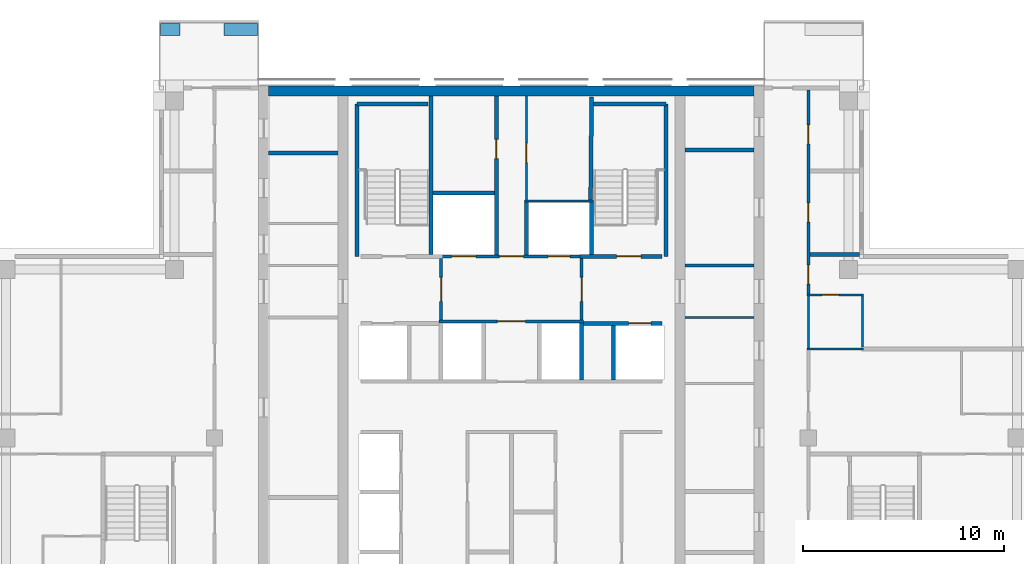
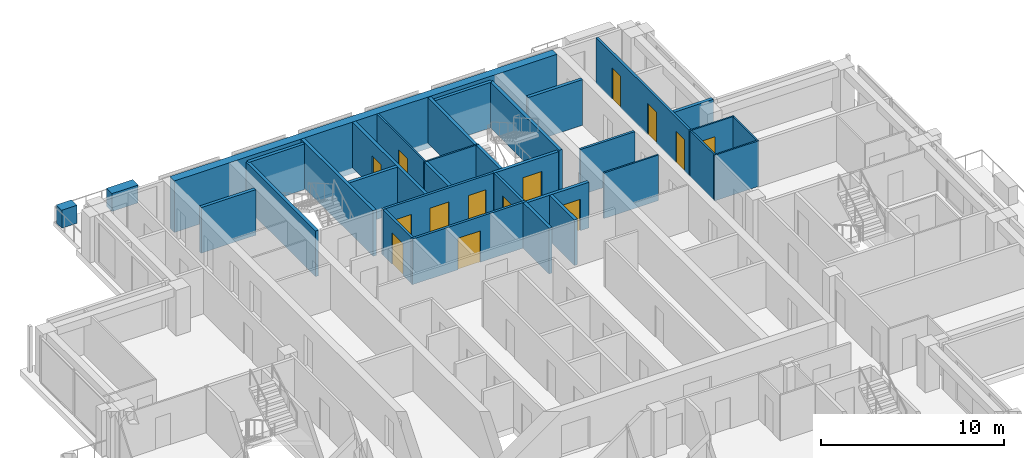
# One storey, part 13 of 17: 33 walls, 14 doors, 14 openings.
"""IFC4 building model written with IfcOpenShell, lengths in metres."""

from ifc_helpers import new_model, si_unit, direction, frame, frame_2d, origin, place, context, subcontext, project, spatial, rectangle, extrude, material, layer, layer_set, type_object, element, fill, save


model = new_model("IFC4")

# Units and contexts
model_context = context("Model", 3, precision=1e-05, world=origin(), true_north=direction((0.0, 1.0)))
body_context = subcontext(model_context, "Body", "Model", "MODEL_VIEW")
ifc_project = project(units=[si_unit("LENGTHUNIT", "METRE"), si_unit("AREAUNIT", "SQUARE_METRE"), si_unit("VOLUMEUNIT", "CUBIC_METRE"), si_unit("PLANEANGLEUNIT", "RADIAN"), si_unit("MASSUNIT", "GRAM", prefix="KILO")], contexts=[model_context])

# Site, building, storey
site_placement = place(None, origin())
site = spatial("IfcSite", under=ifc_project, at=site_placement, CompositionType="ELEMENT")
building_placement = place(site_placement, origin())
building = spatial("IfcBuilding", under=site, at=building_placement, Name="Vermilion Ogive Tower", CompositionType="ELEMENT")
storey_placement = place(building_placement, frame((0.0, 0.0, 244.14990234375)))
storey = spatial("IfcBuildingStorey", under=building, at=storey_placement, Name="L64", CompositionType="ELEMENT", Elevation=244.14990234375)

# Walls
ifc_material_1 = material(Name="Concrete B60", Category="concrete")
ifc_layer_1 = layer(ifc_material_1, 0.5)
ifc_layer_set_1 = layer_set([ifc_layer_1], Name="Core wall 500 B60")
wall_type_1 = type_object("IfcWallType", Name="Core wall 500 B60", PredefinedType="SHEAR", material=ifc_layer_set_1)
wall_1_placement = place(storey_placement, frame((-12.10009765625, 21.5, -0.39990234375), z_axis=(0.0, 0.0, 1.0), x_axis=(1.0, 0.0, 0.0)))
element("IfcWall", 1, at=wall_1_placement, inside=storey, type_object=wall_type_1, Name="L64-CORE-N", PredefinedType="SHEAR", context=body_context, shape_type="SweptSolid", body=[
    extrude(rectangle(XDim=24.2001953125, YDim=0.5, at=frame_2d((12.10009765625, 0.0))), origin(), (0.0, 0.0, 1.0), 3.449951171875),
])
ifc_material_2 = material(Name="Gypsum board partition on steel studs", Category="steel")
ifc_layer_2 = layer(ifc_material_2, 0.10009765625)
ifc_layer_set_2 = layer_set([ifc_layer_2], Name="Partition 100 bath")
wall_type_2 = type_object("IfcWallType", Name="Partition 100 bath", PredefinedType="PARTITIONING", material=ifc_layer_set_2)
wall_2_placement = place(storey_placement, frame((14.72509765625, 8.6298828125, 0.0), z_axis=(0.0, 0.0, 1.0), x_axis=(1.0, 0.0, 0.0)))
element("IfcWall", 2, at=wall_2_placement, inside=storey, type_object=wall_type_2, Name="L64-W-W030", PredefinedType="PARTITIONING", context=body_context, shape_type="SweptSolid", body=[
    extrude(rectangle(XDim=2.824951171875, YDim=0.10009765625, at=frame_2d((1.41259765625, 0.0))), origin(), (0.0, 0.0, 1.0), 3.050048828125),
])

# Wall, opening, door
wall_3_placement = place(storey_placement, frame((14.72509765625, 11.330078125, 0.0), z_axis=(0.0, 0.0, 1.0), x_axis=(1.0, 0.0, 0.0)))
wall_3 = element("IfcWall", 3, at=wall_3_placement, inside=storey, type_object=wall_type_2, Name="L64-W-W032", PredefinedType="PARTITIONING", context=body_context, shape_type="SweptSolid", body=[
    extrude(rectangle(XDim=2.824951171875, YDim=0.10009765625, at=frame_2d((1.41259765625, 0.0))), origin(), (0.0, 0.0, 1.0), 3.050048828125),
])
opening_1_placement = place(wall_3_placement, frame((0.75, 0.0, 0.0)))
opening_1 = element("IfcOpeningElement", 4, at=opening_1_placement, cuts=wall_3, Name="Opening D5G3020", PredefinedType="OPENING", context=body_context, shape_type="SweptSolid", body=[
    extrude(rectangle(XDim=0.85009765625, YDim=2.10009765625, at=frame_2d((0.425048828125, 1.050048828125))), frame((0.0, 0.06005859375, 0.0), z_axis=(0.0, -1.0, 0.0), x_axis=(1.0, 0.0, 0.0)), (0.0, 0.0, 1.0), 0.1201171875),
])
ifc_material_3 = material(Name="Timber door leaf", Category="wood")
door_type_1 = type_object("IfcDoorType", Name="Bath door 850 x 2100 FD30", OperationType="SINGLE_SWING_LEFT", PredefinedType="DOOR", material=ifc_material_3)
door_1_placement = place(opening_1_placement, origin())
door_1 = element("IfcDoor", 5, at=door_1_placement, inside=storey, type_object=door_type_1, Name="L64-D-D020", OperationType="SINGLE_SWING_RIGHT", OverallHeight=2.10009765625, OverallWidth=0.85009765625, PredefinedType="DOOR", context=body_context, shape_type="SweptSolid", body=[
    extrude(rectangle(XDim=0.85009765625, YDim=2.10009765625, at=frame_2d((0.425048828125, 1.050048828125))), frame((0.0, 0.02490234375, 0.0), z_axis=(0.0, -1.0, 0.0), x_axis=(1.0, 0.0, 0.0)), (0.0, 0.0, 1.0), 0.050048828125),
])
fill(opening_1, door_1)

# Walls
wall_4_placement = place(storey_placement, frame((14.800048828125, 8.679931640625, 0.0), z_axis=(0.0, 0.0, 1.0), x_axis=(0.0, 1.0, 0.0)))
element("IfcWall", 6, at=wall_4_placement, inside=storey, type_object=wall_type_2, Name="L64-W-W055", PredefinedType="PARTITIONING", context=body_context, shape_type="SweptSolid", body=[
    extrude(rectangle(XDim=2.60009765625, YDim=0.10009765625, at=frame_2d((1.300048828125, 0.0))), origin(), (0.0, 0.0, 1.0), 3.050048828125),
])
wall_5_placement = place(storey_placement, frame((17.5, 8.72998046875, 0.0), z_axis=(0.0, 0.0, 1.0), x_axis=(0.0, 1.0, 0.0)))
element("IfcWall", 7, at=wall_5_placement, inside=storey, type_object=wall_type_2, Name="L64-W-W059", PredefinedType="PARTITIONING", context=body_context, shape_type="SweptSolid", body=[
    extrude(rectangle(XDim=2.550048828125, YDim=0.10009765625, at=frame_2d((1.27490234375, 0.0))), origin(), (0.0, 0.0, 1.0), 3.050048828125),
])
wall_6_placement = place(storey_placement, frame((0.64990234375, 16.0, 0.0), z_axis=(0.0, 0.0, 1.0), x_axis=(1.0, 0.0, 0.0)))
element("IfcWall", 8, at=wall_6_placement, inside=storey, type_object=wall_type_2, Name="L64-CK-W-W018", PredefinedType="PARTITIONING", context=body_context, shape_type="SweptSolid", body=[
    extrude(rectangle(XDim=3.4501953125, YDim=0.10009765625, at=frame_2d((1.72509765625, 0.0))), origin(), (0.0, 0.0, 1.0), 3.050048828125),
])

# Wall, opening, door
wall_7_placement = place(storey_placement, frame((0.75, 16.050048828125, 0.0), z_axis=(0.0, 0.0, 1.0), x_axis=(0.0, 1.0, 0.0)))
wall_7 = element("IfcWall", 9, at=wall_7_placement, inside=storey, type_object=wall_type_2, Name="L64-CK-W-W030", PredefinedType="PARTITIONING", context=body_context, shape_type="SweptSolid", body=[
    extrude(rectangle(XDim=5.198974609375, YDim=0.10009765625, at=frame_2d((2.599609375, 0.0))), origin(), (0.0, 0.0, 1.0), 3.050048828125),
])
opening_2_placement = place(wall_7_placement, frame((1.875, 0.0, 0.0)))
opening_2 = element("IfcOpeningElement", 10, at=opening_2_placement, cuts=wall_7, Name="Opening DAA597", PredefinedType="OPENING", context=body_context, shape_type="SweptSolid", body=[
    extrude(rectangle(XDim=0.949951171875, YDim=2.10009765625, at=frame_2d((0.47509765625, 1.050048828125))), frame((0.0, 0.06005859375, 0.0), z_axis=(0.0, -1.0, 0.0), x_axis=(1.0, 0.0, 0.0)), (0.0, 0.0, 1.0), 0.1201171875),
])
ifc_material_4 = material(Name="Timber door leaf", Category="wood")
door_type_2 = type_object("IfcDoorType", Name="Service door 950 x 2100 FD60", OperationType="SINGLE_SWING_LEFT", PredefinedType="DOOR", material=ifc_material_4)
door_2_placement = place(opening_2_placement, origin())
door_2 = element("IfcDoor", 11, at=door_2_placement, inside=storey, type_object=door_type_2, Name="L64-CK-D-D022", OperationType="SINGLE_SWING_LEFT", OverallHeight=2.10009765625, OverallWidth=0.949951171875, PredefinedType="DOOR", context=body_context, shape_type="SweptSolid", body=[
    extrude(rectangle(XDim=0.949951171875, YDim=2.10009765625, at=frame_2d((0.47509765625, 1.050048828125))), frame((0.0, 0.02490234375, 0.0), z_axis=(0.0, -1.0, 0.0), x_axis=(1.0, 0.0, 0.0)), (0.0, 0.0, 1.0), 0.050048828125),
])
fill(opening_2, door_2)

# Wall
wall_8_placement = place(storey_placement, frame((8.65087890625, 10.199951171875, 0.0), z_axis=(0.0, 0.0, 1.0), x_axis=(1.0, 0.0, 0.0)))
element("IfcWall", 12, at=wall_8_placement, inside=storey, type_object=wall_type_2, Name="L64-CKE-W-W004", PredefinedType="PARTITIONING", context=body_context, shape_type="SweptSolid", body=[
    extrude(rectangle(XDim=3.4482421875, YDim=0.10009765625, at=frame_2d((1.72412109375, 0.0))), origin(), (0.0, 0.0, 1.0), 3.050048828125),
])

# Wall, openings, doors
ifc_material_5 = material(Name="Gypsum board partition on steel studs", Category="steel")
ifc_layer_3 = layer(ifc_material_5, 0.14990234375)
ifc_layer_set_3 = layer_set([ifc_layer_3], Name="Partition 150 corridor")
wall_type_3 = type_object("IfcWallType", Name="Partition 150 corridor", PredefinedType="PARTITIONING", material=ifc_layer_set_3)
wall_9_placement = place(storey_placement, frame((14.800048828125, 11.3798828125, 0.0), z_axis=(0.0, 0.0, 1.0), x_axis=(0.0, 1.0, 0.0)))
wall_9 = element("IfcWall", 13, at=wall_9_placement, inside=storey, type_object=wall_type_3, Name="L64-W-W056", PredefinedType="PARTITIONING", context=body_context, shape_type="SweptSolid", body=[
    extrude(rectangle(XDim=10.170166015625, YDim=0.14990234375, at=frame_2d((5.0849609375, 0.0))), origin(), (0.0, 0.0, 1.0), 3.050048828125),
])
opening_3_placement = place(wall_9_placement, frame((0.485107421875, 0.0, 0.0)))
opening_3 = element("IfcOpeningElement", 14, at=opening_3_placement, cuts=wall_9, Name="Opening D5G3019", PredefinedType="OPENING", context=body_context, shape_type="SweptSolid", body=[
    extrude(rectangle(XDim=0.949951171875, YDim=2.10009765625, at=frame_2d((0.47509765625, 1.050048828125))), frame((0.0, 0.0849609375, 0.0), z_axis=(0.0, -1.0, 0.0), x_axis=(1.0, 0.0, 0.0)), (0.0, 0.0, 1.0), 0.169921875),
])
opening_4_placement = place(wall_9_placement, frame((3.570068359375, 0.0, 0.0)))
opening_4 = element("IfcOpeningElement", 15, at=opening_4_placement, cuts=wall_9, Name="Opening D5G3021", PredefinedType="OPENING", context=body_context, shape_type="SweptSolid", body=[
    extrude(rectangle(XDim=0.949951171875, YDim=2.10009765625, at=frame_2d((0.47509765625, 1.050048828125))), frame((0.0, 0.0849609375, 0.0), z_axis=(0.0, -1.0, 0.0), x_axis=(1.0, 0.0, 0.0)), (0.0, 0.0, 1.0), 0.169921875),
])
opening_5_placement = place(wall_9_placement, frame((7.47021484375, 0.0, 0.0)))
opening_5 = element("IfcOpeningElement", 16, at=opening_5_placement, cuts=wall_9, Name="Opening D5G3022", PredefinedType="OPENING", context=body_context, shape_type="SweptSolid", body=[
    extrude(rectangle(XDim=0.949951171875, YDim=2.10009765625, at=frame_2d((0.47509765625, 1.050048828125))), frame((0.0, 0.0849609375, 0.0), z_axis=(0.0, -1.0, 0.0), x_axis=(1.0, 0.0, 0.0)), (0.0, 0.0, 1.0), 0.169921875),
])
ifc_material_6 = material(Name="Timber door leaf", Category="wood")
door_type_3 = type_object("IfcDoorType", Name="Unit door 950 x 2100 FD30S", OperationType="SINGLE_SWING_LEFT", PredefinedType="DOOR", material=ifc_material_6)
door_3_placement = place(opening_3_placement, origin())
door_3 = element("IfcDoor", 17, at=door_3_placement, inside=storey, type_object=door_type_3, Name="L64-D-D019", OperationType="SINGLE_SWING_RIGHT", OverallHeight=2.10009765625, OverallWidth=0.949951171875, PredefinedType="DOOR", context=body_context, shape_type="SweptSolid", body=[
    extrude(rectangle(XDim=0.949951171875, YDim=2.10009765625, at=frame_2d((0.47509765625, 1.050048828125))), frame((0.0, 0.02490234375, 0.0), z_axis=(0.0, -1.0, 0.0), x_axis=(1.0, 0.0, 0.0)), (0.0, 0.0, 1.0), 0.050048828125),
])
fill(opening_3, door_3)
door_4_placement = place(opening_4_placement, origin())
door_4 = element("IfcDoor", 18, at=door_4_placement, inside=storey, type_object=door_type_3, Name="L64-D-D021", OperationType="SINGLE_SWING_RIGHT", OverallHeight=2.10009765625, OverallWidth=0.949951171875, PredefinedType="DOOR", context=body_context, shape_type="SweptSolid", body=[
    extrude(rectangle(XDim=0.949951171875, YDim=2.10009765625, at=frame_2d((0.47509765625, 1.050048828125))), frame((0.0, 0.02490234375, 0.0), z_axis=(0.0, -1.0, 0.0), x_axis=(1.0, 0.0, 0.0)), (0.0, 0.0, 1.0), 0.050048828125),
])
fill(opening_4, door_4)
door_5_placement = place(opening_5_placement, origin())
door_5 = element("IfcDoor", 19, at=door_5_placement, inside=storey, type_object=door_type_3, Name="L64-D-D022", OperationType="SINGLE_SWING_RIGHT", OverallHeight=2.10009765625, OverallWidth=0.949951171875, PredefinedType="DOOR", context=body_context, shape_type="SweptSolid", body=[
    extrude(rectangle(XDim=0.949951171875, YDim=2.10009765625, at=frame_2d((0.47509765625, 1.050048828125))), frame((0.0, 0.02490234375, 0.0), z_axis=(0.0, -1.0, 0.0), x_axis=(1.0, 0.0, 0.0)), (0.0, 0.0, 1.0), 0.050048828125),
])
fill(opening_5, door_5)

# Wall, opening, door
wall_10_placement = place(storey_placement, frame((-3.60009765625, 10.0, 0.0), z_axis=(0.0, 0.0, 1.0), x_axis=(1.0, 0.0, 0.0)))
wall_10 = element("IfcWall", 20, at=wall_10_placement, inside=storey, type_object=wall_type_3, Name="L64-CK-W-W014", PredefinedType="PARTITIONING", context=body_context, shape_type="SweptSolid", body=[
    extrude(rectangle(XDim=7.2001953125, YDim=0.14990234375, at=frame_2d((3.60009765625, 0.0))), origin(), (0.0, 0.0, 1.0), 3.050048828125),
])
opening_6_placement = place(wall_10_placement, frame((2.900146484375, 0.0, 0.0)))
opening_6 = element("IfcOpeningElement", 21, at=opening_6_placement, cuts=wall_10, Name="Opening DAA588", PredefinedType="OPENING", context=body_context, shape_type="SweptSolid", body=[
    extrude(rectangle(XDim=1.39990234375, YDim=2.10009765625, at=frame_2d((0.699951171875, 1.050048828125))), frame((0.0, 0.0849609375, 0.0), z_axis=(0.0, -1.0, 0.0), x_axis=(1.0, 0.0, 0.0)), (0.0, 0.0, 1.0), 0.169921875),
])
ifc_material_7 = material(Name="Timber door leaf", Category="wood")
door_type_4 = type_object("IfcDoorType", Name="Lobby door 1400 x 2100 FD60S", OperationType="SINGLE_SWING_LEFT", PredefinedType="DOOR", material=ifc_material_7)
door_6_placement = place(opening_6_placement, origin())
door_6 = element("IfcDoor", 22, at=door_6_placement, inside=storey, type_object=door_type_4, Name="L64-CK-D-D017", OperationType="SINGLE_SWING_RIGHT", OverallHeight=2.10009765625, OverallWidth=1.39990234375, PredefinedType="DOOR", context=body_context, shape_type="SweptSolid", body=[
    extrude(rectangle(XDim=1.39990234375, YDim=2.10009765625, at=frame_2d((0.699951171875, 1.050048828125))), frame((0.0, 0.02490234375, 0.0), z_axis=(0.0, -1.0, 0.0), x_axis=(1.0, 0.0, 0.0)), (0.0, 0.0, 1.0), 0.050048828125),
])
fill(opening_6, door_6)

# Wall, openings, doors
wall_11_placement = place(storey_placement, frame((-3.574951171875, 13.25, 0.0), z_axis=(0.0, 0.0, 1.0), x_axis=(1.0, 0.0, 0.0)))
wall_11 = element("IfcWall", 23, at=wall_11_placement, inside=storey, type_object=wall_type_3, Name="L64-CK-W-W016", PredefinedType="PARTITIONING", context=body_context, shape_type="SweptSolid", body=[
    extrude(rectangle(XDim=7.14990234375, YDim=0.14990234375, at=frame_2d((3.574951171875, 0.0))), origin(), (0.0, 0.0, 1.0), 3.050048828125),
])
opening_7_placement = place(wall_11_placement, frame((0.599853515625, 0.0, 0.0)))
opening_7 = element("IfcOpeningElement", 24, at=opening_7_placement, cuts=wall_11, Name="Opening DAA608", PredefinedType="OPENING", context=body_context, shape_type="SweptSolid", body=[
    extrude(rectangle(XDim=1.199951171875, YDim=2.10009765625, at=frame_2d((0.60009765625, 1.050048828125))), frame((0.0, 0.0849609375, 0.0), z_axis=(0.0, -1.0, 0.0), x_axis=(1.0, 0.0, 0.0)), (0.0, 0.0, 1.0), 0.169921875),
])
opening_8_placement = place(wall_11_placement, frame((5.39990234375, 0.0, 0.0)))
opening_8 = element("IfcOpeningElement", 25, at=opening_8_placement, cuts=wall_11, Name="Opening DAA607", PredefinedType="OPENING", context=body_context, shape_type="SweptSolid", body=[
    extrude(rectangle(XDim=1.10009765625, YDim=2.10009765625, at=frame_2d((0.550048828125, 1.050048828125))), frame((0.0, 0.0849609375, 0.0), z_axis=(0.0, -1.0, 0.0), x_axis=(1.0, 0.0, 0.0)), (0.0, 0.0, 1.0), 0.169921875),
])
opening_9_placement = place(wall_11_placement, frame((2.974853515625, 0.0, 0.0)))
opening_9 = element("IfcOpeningElement", 26, at=opening_9_placement, cuts=wall_11, Name="Opening DAA589", PredefinedType="OPENING", context=body_context, shape_type="SweptSolid", body=[
    extrude(rectangle(XDim=1.199951171875, YDim=2.10009765625, at=frame_2d((0.60009765625, 1.050048828125))), frame((0.0, 0.0849609375, 0.0), z_axis=(0.0, -1.0, 0.0), x_axis=(1.0, 0.0, 0.0)), (0.0, 0.0, 1.0), 0.169921875),
])
ifc_material_8 = material(Name="Stainless steel", Category="steel")
door_type_5 = type_object("IfcDoorType", Name="Lift landing door 1100 x 2100", OperationType="SLIDING_TO_LEFT", PredefinedType="DOOR", material=ifc_material_8)
door_7_placement = place(opening_8_placement, origin())
door_7 = element("IfcDoor", 27, at=door_7_placement, inside=storey, type_object=door_type_5, Name="L64-CK-D-D019", OperationType="SLIDING_TO_LEFT", OverallHeight=2.10009765625, OverallWidth=1.10009765625, PredefinedType="DOOR", context=body_context, shape_type="SweptSolid", body=[
    extrude(rectangle(XDim=1.10009765625, YDim=2.10009765625, at=frame_2d((0.550048828125, 1.050048828125))), frame((0.0, 0.02490234375, 0.0), z_axis=(0.0, -1.0, 0.0), x_axis=(1.0, 0.0, 0.0)), (0.0, 0.0, 1.0), 0.050048828125),
])
fill(opening_8, door_7)
ifc_material_9 = material(Name="Stainless steel", Category="steel")
door_type_6 = type_object("IfcDoorType", Name="Lift landing door 1200 x 2100", OperationType="SLIDING_TO_LEFT", PredefinedType="DOOR", material=ifc_material_9)
door_8_placement = place(opening_7_placement, origin())
door_8 = element("IfcDoor", 28, at=door_8_placement, inside=storey, type_object=door_type_6, Name="L64-CK-D-D018", OperationType="SLIDING_TO_RIGHT", OverallHeight=2.10009765625, OverallWidth=1.199951171875, PredefinedType="DOOR", context=body_context, shape_type="SweptSolid", body=[
    extrude(rectangle(XDim=1.199951171875, YDim=2.10009765625, at=frame_2d((0.60009765625, 1.050048828125))), frame((0.0, 0.02490234375, 0.0), z_axis=(0.0, -1.0, 0.0), x_axis=(1.0, 0.0, 0.0)), (0.0, 0.0, 1.0), 0.050048828125),
])
fill(opening_7, door_8)
ifc_material_10 = material(Name="Timber door leaf", Category="wood")
door_type_7 = type_object("IfcDoorType", Name="Service door 1200 x 2100 FD60", OperationType="SINGLE_SWING_LEFT", PredefinedType="DOOR", material=ifc_material_10)
door_9_placement = place(opening_9_placement, origin())
door_9 = element("IfcDoor", 29, at=door_9_placement, inside=storey, type_object=door_type_7, Name="L64-CK-D-D020", OperationType="SINGLE_SWING_RIGHT", OverallHeight=2.10009765625, OverallWidth=1.199951171875, PredefinedType="DOOR", context=body_context, shape_type="SweptSolid", body=[
    extrude(rectangle(XDim=1.199951171875, YDim=2.10009765625, at=frame_2d((0.60009765625, 1.050048828125))), frame((0.0, 0.02490234375, 0.0), z_axis=(0.0, -1.0, 0.0), x_axis=(1.0, 0.0, 0.0)), (0.0, 0.0, 1.0), 0.050048828125),
])
fill(opening_9, door_9)

# Wall, opening, door
wall_12_placement = place(storey_placement, frame((-3.5, 10.074951171875, 0.0), z_axis=(0.0, 0.0, 1.0), x_axis=(0.0, 1.0, 0.0)))
wall_12 = element("IfcWall", 30, at=wall_12_placement, inside=storey, type_object=wall_type_3, Name="L64-CK-W-W024", PredefinedType="PARTITIONING", context=body_context, shape_type="SweptSolid", body=[
    extrude(rectangle(XDim=3.074951171875, YDim=0.14990234375, at=frame_2d((1.53759765625, 0.0))), origin(), (0.0, 0.0, 1.0), 3.050048828125),
])
opening_10_placement = place(wall_12_placement, frame((0.925048828125, 0.0, 0.0)))
opening_10 = element("IfcOpeningElement", 31, at=opening_10_placement, cuts=wall_12, Name="Opening DAA585", PredefinedType="OPENING", context=body_context, shape_type="SweptSolid", body=[
    extrude(rectangle(XDim=1.199951171875, YDim=2.10009765625, at=frame_2d((0.60009765625, 1.050048828125))), frame((0.0, 0.0849609375, 0.0), z_axis=(0.0, -1.0, 0.0), x_axis=(1.0, 0.0, 0.0)), (0.0, 0.0, 1.0), 0.169921875),
])
ifc_material_11 = material(Name="Timber door leaf", Category="wood")
door_type_8 = type_object("IfcDoorType", Name="Lobby door 1200 x 2100 FD60S", OperationType="SINGLE_SWING_LEFT", PredefinedType="DOOR", material=ifc_material_11)
door_10_placement = place(opening_10_placement, origin())
door_10 = element("IfcDoor", 32, at=door_10_placement, inside=storey, type_object=door_type_8, Name="L64-CK-D-D023", OperationType="SINGLE_SWING_RIGHT", OverallHeight=2.10009765625, OverallWidth=1.199951171875, PredefinedType="DOOR", context=body_context, shape_type="SweptSolid", body=[
    extrude(rectangle(XDim=1.199951171875, YDim=2.10009765625, at=frame_2d((0.60009765625, 1.050048828125))), frame((0.0, 0.02490234375, 0.0), z_axis=(0.0, -1.0, 0.0), x_axis=(1.0, 0.0, 0.0)), (0.0, 0.0, 1.0), 0.050048828125),
])
fill(opening_10, door_10)

wall_13_placement = place(storey_placement, frame((3.5, 10.074951171875, 0.0), z_axis=(0.0, 0.0, 1.0), x_axis=(0.0, 1.0, 0.0)))
wall_13 = element("IfcWall", 33, at=wall_13_placement, inside=storey, type_object=wall_type_3, Name="L64-CK-W-W034", PredefinedType="PARTITIONING", context=body_context, shape_type="SweptSolid", body=[
    extrude(rectangle(XDim=3.074951171875, YDim=0.14990234375, at=frame_2d((1.53759765625, 0.0))), origin(), (0.0, 0.0, 1.0), 3.050048828125),
])
opening_11_placement = place(wall_13_placement, frame((0.925048828125, 0.0, 0.0)))
opening_11 = element("IfcOpeningElement", 34, at=opening_11_placement, cuts=wall_13, Name="Opening DAA586", PredefinedType="OPENING", context=body_context, shape_type="SweptSolid", body=[
    extrude(rectangle(XDim=1.199951171875, YDim=2.10009765625, at=frame_2d((0.60009765625, 1.050048828125))), frame((0.0, 0.0849609375, 0.0), z_axis=(0.0, -1.0, 0.0), x_axis=(1.0, 0.0, 0.0)), (0.0, 0.0, 1.0), 0.169921875),
])
door_11_placement = place(opening_11_placement, origin())
door_11 = element("IfcDoor", 35, at=door_11_placement, inside=storey, type_object=door_type_8, Name="L64-CK-D-D024", OperationType="SINGLE_SWING_LEFT", OverallHeight=2.10009765625, OverallWidth=1.199951171875, PredefinedType="DOOR", context=body_context, shape_type="SweptSolid", body=[
    extrude(rectangle(XDim=1.199951171875, YDim=2.10009765625, at=frame_2d((0.60009765625, 1.050048828125))), frame((0.0, 0.02490234375, 0.0), z_axis=(0.0, -1.0, 0.0), x_axis=(1.0, 0.0, 0.0)), (0.0, 0.0, 1.0), 0.050048828125),
])
fill(opening_11, door_11)

# Walls
wall_14_placement = place(storey_placement, frame((8.65087890625, 12.800048828125, 0.0), z_axis=(0.0, 0.0, 1.0), x_axis=(1.0, 0.0, 0.0)))
element("IfcWall", 36, at=wall_14_placement, inside=storey, type_object=wall_type_3, Name="L64-CKE-W-W005", PredefinedType="PARTITIONING", context=body_context, shape_type="SweptSolid", body=[
    extrude(rectangle(XDim=3.4482421875, YDim=0.14990234375, at=frame_2d((1.72412109375, 0.0))), origin(), (0.0, 0.0, 1.0), 3.050048828125),
])
ifc_material_12 = material(Name="Gypsum board partition on steel studs", Category="steel")
ifc_layer_4 = layer(ifc_material_12, 0.199951171875)
ifc_layer_set_4 = layer_set([ifc_layer_4], Name="Partition 200 party")
wall_type_4 = type_object("IfcWallType", Name="Partition 200 party", PredefinedType="PARTITIONING", material=ifc_layer_set_4)
wall_15_placement = place(storey_placement, frame((14.875, 13.35009765625, 0.0), z_axis=(0.0, 0.0, 1.0), x_axis=(1.0, 0.0, 0.0)))
element("IfcWall", 37, at=wall_15_placement, inside=storey, type_object=wall_type_4, Name="L64-W-W034", PredefinedType="PARTITIONING", context=body_context, shape_type="SweptSolid", body=[
    extrude(rectangle(XDim=2.47509765625, YDim=0.199951171875, at=frame_2d((1.237548828125, 0.0))), origin(), (0.0, 0.0, 1.0), 3.050048828125),
])

# Wall, opening, door
wall_16_placement = place(storey_placement, frame((3.60009765625, 9.89990234375, 0.0), z_axis=(0.0, 0.0, 1.0), x_axis=(1.0, 0.0, 0.0)))
wall_16 = element("IfcWall", 38, at=wall_16_placement, inside=storey, type_object=wall_type_4, Name="L64-CK-W-W013", PredefinedType="PARTITIONING", context=body_context, shape_type="SweptSolid", body=[
    extrude(rectangle(XDim=3.89990234375, YDim=0.199951171875, at=frame_2d((1.949951171875, 0.0))), origin(), (0.0, 0.0, 1.0), 3.050048828125),
])
opening_12_placement = place(wall_16_placement, frame((2.25, 0.0, 0.0)))
opening_12 = element("IfcOpeningElement", 39, at=opening_12_placement, cuts=wall_16, Name="Opening DAA606", PredefinedType="OPENING", context=body_context, shape_type="SweptSolid", body=[
    extrude(rectangle(XDim=1.10009765625, YDim=2.10009765625, at=frame_2d((0.550048828125, 1.050048828125))), frame((0.0, 0.10986328125, 0.0), z_axis=(0.0, -1.0, 0.0), x_axis=(1.0, 0.0, 0.0)), (0.0, 0.0, 1.0), 0.219970703125),
])
door_12_placement = place(opening_12_placement, origin())
door_12 = element("IfcDoor", 40, at=door_12_placement, inside=storey, type_object=door_type_5, Name="L64-CK-D-D015", OperationType="SLIDING_TO_LEFT", OverallHeight=2.10009765625, OverallWidth=1.10009765625, PredefinedType="DOOR", context=body_context, shape_type="SweptSolid", body=[
    extrude(rectangle(XDim=1.10009765625, YDim=2.10009765625, at=frame_2d((0.550048828125, 1.050048828125))), frame((0.0, 0.02490234375, 0.0), z_axis=(0.0, -1.0, 0.0), x_axis=(1.0, 0.0, 0.0)), (0.0, 0.0, 1.0), 0.050048828125),
])
fill(opening_12, door_12)

# Wall
wall_17_placement = place(storey_placement, frame((-3.89990234375, 16.39990234375, 0.0), z_axis=(0.0, 0.0, 1.0), x_axis=(1.0, 0.0, 0.0)))
element("IfcWall", 41, at=wall_17_placement, inside=storey, type_object=wall_type_4, Name="L64-CK-W-W019", PredefinedType="PARTITIONING", context=body_context, shape_type="SweptSolid", body=[
    extrude(rectangle(XDim=3.0498046875, YDim=0.199951171875, at=frame_2d((1.52490234375, 0.0))), origin(), (0.0, 0.0, 1.0), 3.050048828125),
])

# Wall, opening, door
wall_18_placement = place(storey_placement, frame((-0.75, 13.324951171875, 0.0), z_axis=(0.0, 0.0, 1.0), x_axis=(0.0, 1.0, 0.0)))
wall_18 = element("IfcWall", 42, at=wall_18_placement, inside=storey, type_object=wall_type_4, Name="L64-CK-W-W027", PredefinedType="PARTITIONING", context=body_context, shape_type="SweptSolid", body=[
    extrude(rectangle(XDim=7.924072265625, YDim=0.199951171875, at=frame_2d((3.9619140625, 0.0))), origin(), (0.0, 0.0, 1.0), 3.050048828125),
])
opening_13_placement = place(wall_18_placement, frame((4.800048828125, 0.0, 0.0)))
opening_13 = element("IfcOpeningElement", 43, at=opening_13_placement, cuts=wall_18, Name="Opening DAA596", PredefinedType="OPENING", context=body_context, shape_type="SweptSolid", body=[
    extrude(rectangle(XDim=0.949951171875, YDim=2.10009765625, at=frame_2d((0.47509765625, 1.050048828125))), frame((0.0, 0.10986328125, 0.0), z_axis=(0.0, -1.0, 0.0), x_axis=(1.0, 0.0, 0.0)), (0.0, 0.0, 1.0), 0.219970703125),
])
door_13_placement = place(opening_13_placement, origin())
door_13 = element("IfcDoor", 44, at=door_13_placement, inside=storey, type_object=door_type_2, Name="L64-CK-D-D021", OperationType="SINGLE_SWING_RIGHT", OverallHeight=2.10009765625, OverallWidth=0.949951171875, PredefinedType="DOOR", context=body_context, shape_type="SweptSolid", body=[
    extrude(rectangle(XDim=0.949951171875, YDim=2.10009765625, at=frame_2d((0.47509765625, 1.050048828125))), frame((0.0, 0.02490234375, 0.0), z_axis=(0.0, -1.0, 0.0), x_axis=(1.0, 0.0, 0.0)), (0.0, 0.0, 1.0), 0.050048828125),
])
fill(opening_13, door_13)

# Walls
wall_19_placement = place(storey_placement, frame((0.75, 13.324951171875, 0.0), z_axis=(0.0, 0.0, 1.0), x_axis=(0.0, 1.0, 0.0)))
element("IfcWall", 45, at=wall_19_placement, inside=storey, type_object=wall_type_4, Name="L64-CK-W-W029", PredefinedType="PARTITIONING", context=body_context, shape_type="SweptSolid", body=[
    extrude(rectangle(XDim=2.625, YDim=0.199951171875, at=frame_2d((1.3125, 0.0))), origin(), (0.0, 0.0, 1.0), 3.050048828125),
])
wall_20_placement = place(storey_placement, frame((3.5, 7.074951171875, 0.0), z_axis=(0.0, 0.0, 1.0), x_axis=(0.0, 1.0, 0.0)))
element("IfcWall", 46, at=wall_20_placement, inside=storey, type_object=wall_type_4, Name="L64-CK-W-W033", PredefinedType="PARTITIONING", context=body_context, shape_type="SweptSolid", body=[
    extrude(rectangle(XDim=2.85009765625, YDim=0.199951171875, at=frame_2d((1.425048828125, 0.0))), origin(), (0.0, 0.0, 1.0), 3.050048828125),
])
wall_21_placement = place(storey_placement, frame((5.10009765625, 7.074951171875, 0.0), z_axis=(0.0, 0.0, 1.0), x_axis=(0.0, 1.0, 0.0)))
element("IfcWall", 47, at=wall_21_placement, inside=storey, type_object=wall_type_4, Name="L64-CK-W-W037", PredefinedType="PARTITIONING", context=body_context, shape_type="SweptSolid", body=[
    extrude(rectangle(XDim=2.72509765625, YDim=0.199951171875, at=frame_2d((1.362548828125, 0.0))), origin(), (0.0, 0.0, 1.0), 3.050048828125),
])
for number, where, z_axis, x_axis, name in (
    (48, (-12.09912109375, 18.410888671875, 0.0), (0.0, 0.0, 1.0), (1.0, 0.0, 0.0), "L64-CKW-W-W005"),
    (49, (8.65087890625, 18.56005859375, 0.0), (0.0, 0.0, 1.0), (1.0, 0.0, 0.0), "L64-CKE-W-W006"),
):
    element("IfcWall", number, at=place(storey_placement, frame(where, z_axis=z_axis, x_axis=x_axis)), inside=storey, type_object=wall_type_4, Name=name, PredefinedType="PARTITIONING", context=body_context, shape_type="SweptSolid", body=[
        extrude(rectangle(XDim=3.4482421875, YDim=0.199951171875, at=frame_2d((1.72412109375, 0.0))), origin(), (0.0, 0.0, 1.0), 3.050048828125),
    ])

# Wall, opening, door
ifc_material_13 = material(Name="Concrete B60", Category="concrete")
ifc_layer_5 = layer(ifc_material_13, 0.199951171875)
ifc_layer_set_5 = layer_set([ifc_layer_5], Name="Stair shaft wall 200 Concrete B60")
wall_type_5 = type_object("IfcWallType", Name="Stair shaft wall 200 Concrete B60", PredefinedType="SOLIDWALL", material=ifc_layer_set_5)
wall_22_placement = place(storey_placement, frame((3.425048828125, 13.25, 0.0), z_axis=(0.0, 0.0, 1.0), x_axis=(1.0, 0.0, 0.0)))
wall_22 = element("IfcWall", 50, at=wall_22_placement, inside=storey, type_object=wall_type_5, Name="L64-CK-W-W017", PredefinedType="SOLIDWALL", context=body_context, shape_type="SweptSolid", body=[
    extrude(rectangle(XDim=4.074951171875, YDim=0.199951171875, at=frame_2d((2.03759765625, 0.0))), origin(), (0.0, 0.0, 1.0), 3.050048828125),
])
opening_14_placement = place(wall_22_placement, frame((1.824951171875, 0.0, 0.0)))
opening_14 = element("IfcOpeningElement", 51, at=opening_14_placement, cuts=wall_22, Name="Opening DAA599", PredefinedType="OPENING", context=body_context, shape_type="SweptSolid", body=[
    extrude(rectangle(XDim=1.199951171875, YDim=2.10009765625, at=frame_2d((0.60009765625, 1.050048828125))), frame((0.0, 0.10986328125, 0.0), z_axis=(0.0, -1.0, 0.0), x_axis=(1.0, 0.0, 0.0)), (0.0, 0.0, 1.0), 0.219970703125),
])
ifc_material_14 = material(Name="Timber door leaf", Category="wood")
door_type_9 = type_object("IfcDoorType", Name="Stair door 1200 x 2100 FD60S", OperationType="SINGLE_SWING_LEFT", PredefinedType="DOOR", material=ifc_material_14)
door_14_placement = place(opening_14_placement, origin())
door_14 = element("IfcDoor", 52, at=door_14_placement, inside=storey, type_object=door_type_9, Name="L64-CK-D-D014", OperationType="SINGLE_SWING_RIGHT", OverallHeight=2.10009765625, OverallWidth=1.199951171875, PredefinedType="DOOR", context=body_context, shape_type="SweptSolid", body=[
    extrude(rectangle(XDim=1.199951171875, YDim=2.10009765625, at=frame_2d((0.60009765625, 1.050048828125))), frame((0.0, 0.02490234375, 0.0), z_axis=(0.0, -1.0, 0.0), x_axis=(1.0, 0.0, 0.0)), (0.0, 0.0, 1.0), 0.050048828125),
])
fill(opening_14, door_14)

# Walls
wall_23_placement = place(storey_placement, frame((-4.0, 13.35009765625, 0.0), z_axis=(0.0, 0.0, 1.0), x_axis=(0.0, 1.0, 0.0)))
element("IfcWall", 53, at=wall_23_placement, inside=storey, type_object=wall_type_5, Name="L64-CK-W-W022", PredefinedType="SOLIDWALL", context=body_context, shape_type="SweptSolid", body=[
    extrude(rectangle(XDim=7.89892578125, YDim=0.199951171875, at=frame_2d((3.949462890625, 0.0))), origin(), (0.0, 0.0, 1.0), 3.050048828125),
])
wall_24_placement = place(storey_placement, frame((4.0, 13.35009765625, 0.0), z_axis=(0.0, 0.0, 1.0), x_axis=(0.0, 1.0, 0.0)))
element("IfcWall", 54, at=wall_24_placement, inside=storey, type_object=wall_type_5, Name="L64-CK-W-W035", PredefinedType="SOLIDWALL", context=body_context, shape_type="SweptSolid", body=[
    extrude(rectangle(XDim=2.599853515625, YDim=0.199951171875, at=frame_2d((1.2998046875, 0.0))), origin(), (0.0, 0.0, 1.0), 3.050048828125),
])
wall_25_placement = place(storey_placement, frame((3.949951171875, 16.050048828125, 0.0), z_axis=(0.0, 0.0, 1.0), x_axis=(0.009719787395, 0.999952761751, 0.0)))
element("IfcWall", 55, at=wall_25_placement, inside=storey, type_object=wall_type_5, Name="L64-CK-W-W036", PredefinedType="SOLIDWALL", context=body_context, shape_type="SweptSolid", body=[
    extrude(rectangle(XDim=5.149169921875, YDim=0.199951171875, at=frame_2d((2.57470703125, 0.0))), origin(), (0.0, 0.0, 1.0), 3.050048828125),
])
wall_26_placement = place(storey_placement, frame((-7.699951171875, 13.25, 0.0), z_axis=(0.0, 0.0, 1.0), x_axis=(0.0, 1.0, 0.0)))
element("IfcWall", 56, at=wall_26_placement, inside=storey, type_object=wall_type_5, Name="L64-SW-R018-W1", PredefinedType="SOLIDWALL", context=body_context, shape_type="SweptSolid", body=[
    extrude(rectangle(XDim=7.60009765625, YDim=0.199951171875, at=frame_2d((3.800048828125, 0.0))), origin(), (0.0, 0.0, 1.0), 3.050048828125),
])
wall_27_placement = place(storey_placement, frame((-7.699951171875, 20.85009765625, 0.0), z_axis=(0.0, 0.0, 1.0), x_axis=(1.0, 0.0, 0.0)))
element("IfcWall", 57, at=wall_27_placement, inside=storey, type_object=wall_type_5, Name="L64-SW-R018-N1", PredefinedType="SOLIDWALL", context=body_context, shape_type="SweptSolid", body=[
    extrude(rectangle(XDim=3.550048828125, YDim=0.199951171875, at=frame_2d((1.77490234375, 0.0))), origin(), (0.0, 0.0, 1.0), 3.050048828125),
])
wall_28_placement = place(storey_placement, frame((7.699951171875, 13.25, 0.0), z_axis=(0.0, 0.0, 1.0), x_axis=(0.0, 1.0, 0.0)))
element("IfcWall", 58, at=wall_28_placement, inside=storey, type_object=wall_type_5, Name="L64-SW-R022-E1", PredefinedType="SOLIDWALL", context=body_context, shape_type="SweptSolid", body=[
    extrude(rectangle(XDim=7.60009765625, YDim=0.199951171875, at=frame_2d((3.800048828125, 0.0))), origin(), (0.0, 0.0, 1.0), 3.050048828125),
])
wall_29_placement = place(storey_placement, frame((4.10009765625, 20.85009765625, 0.0), z_axis=(0.0, 0.0, 1.0), x_axis=(1.0, 0.0, 0.0)))
element("IfcWall", 59, at=wall_29_placement, inside=storey, type_object=wall_type_5, Name="L64-SW-R022-N1", PredefinedType="SOLIDWALL", context=body_context, shape_type="SweptSolid", body=[
    extrude(rectangle(XDim=3.599853515625, YDim=0.199951171875, at=frame_2d((1.7998046875, 0.0))), origin(), (0.0, 0.0, 1.0), 3.050048828125),
])
ifc_material_15 = material(Name="Concrete B40", Category="concrete")
ifc_layer_6 = layer(ifc_material_15, 0.60009765625)
ifc_layer_set_6 = layer_set([ifc_layer_6], Name="Structural planter")
wall_type_6 = type_object("IfcWallType", Name="Structural planter", PredefinedType="USERDEFINED", material=ifc_layer_set_6)
wall_30_placement = place(storey_placement, frame((-12.659912109375, 24.550048828125, -0.039794921875), z_axis=(0.0, 0.0, 1.0), x_axis=(-1.0, 0.0, 0.0)))
element("IfcWall", 60, at=wall_30_placement, inside=storey, type_object=wall_type_6, Name="Planter N201A1", ObjectType="PLANTER", PredefinedType="USERDEFINED", context=body_context, shape_type="SweptSolid", body=[
    extrude(rectangle(XDim=1.6650390625, YDim=0.60009765625, at=frame_2d((0.83251953125, 0.0))), origin(), (0.0, 0.0, 1.0), 1.199951171875),
])
wall_31_placement = place(storey_placement, frame((-16.52490234375, 24.550048828125, -0.039794921875), z_axis=(0.0, 0.0, 1.0), x_axis=(-1.0, 0.0, 0.0)))
element("IfcWall", 61, at=wall_31_placement, inside=storey, type_object=wall_type_6, Name="Planter N201A2", ObjectType="PLANTER", PredefinedType="USERDEFINED", context=body_context, shape_type="SweptSolid", body=[
    extrude(rectangle(XDim=0.965087890625, YDim=0.60009765625, at=frame_2d((0.482421875, 0.0))), origin(), (0.0, 0.0, 1.0), 1.199951171875),
])

save(model, "model.ifc")
